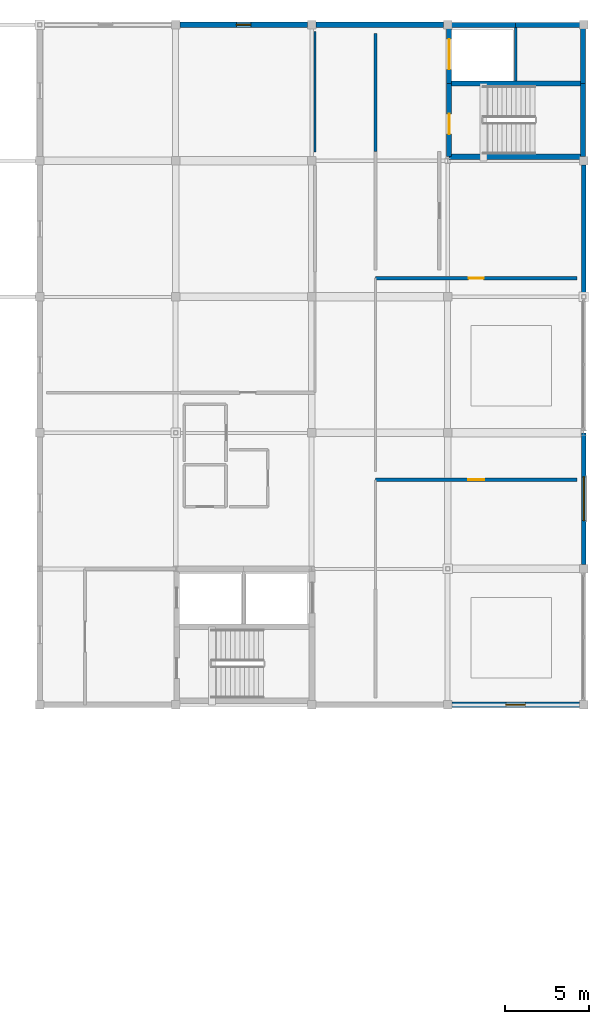
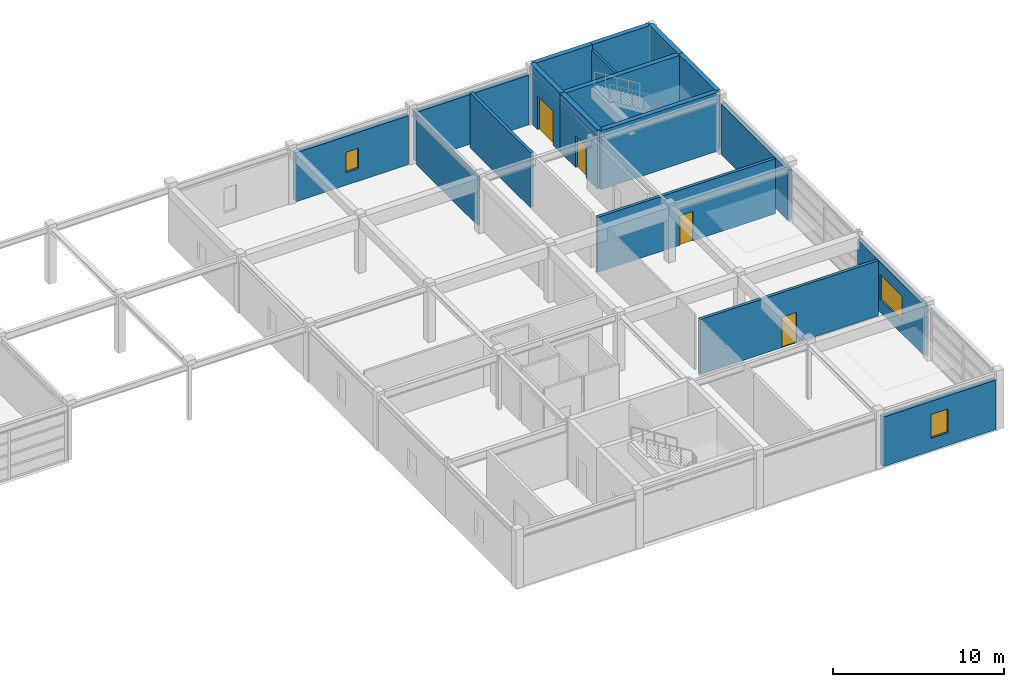
# One storey, part 20 of 26: 18 walls, 4 doors, 3 windows, 7 openings.
"""IFC4 building model written with IfcOpenShell, lengths in metres."""

from ifc_helpers import new_model, si_unit, direction, frame, frame_2d, origin, place, context, subcontext, project, spatial, rectangle, extrude, material, layer, layer_set, type_object, element, fill, save


model = new_model("IFC4")

# Units and contexts
model_context = context("Model", 3, precision=1e-05, world=origin(), true_north=direction((0.0, 1.0)))
body_context = subcontext(model_context, "Body", "Model", "MODEL_VIEW")
ifc_project = project(units=[si_unit("LENGTHUNIT", "METRE"), si_unit("AREAUNIT", "SQUARE_METRE"), si_unit("VOLUMEUNIT", "CUBIC_METRE"), si_unit("PLANEANGLEUNIT", "RADIAN"), si_unit("MASSUNIT", "GRAM", prefix="KILO")], contexts=[model_context])

# Site, building, storey
site_placement = place(None, origin())
site = spatial("IfcSite", under=ifc_project, at=site_placement, CompositionType="ELEMENT")
building_placement = place(site_placement, origin())
building = spatial("IfcBuilding", under=site, at=building_placement, Name="Parian Resonance Hall", CompositionType="ELEMENT")
storey_placement = place(building_placement, frame((0.0, 0.0, 19.199951171875)))
storey = spatial("IfcBuildingStorey", under=building, at=storey_placement, Name="L04", CompositionType="ELEMENT", Elevation=19.199951171875)

# Wall, opening, door
ifc_material_1 = material(Name="Concrete C40/50", Category="concrete")
ifc_layer_1 = layer(ifc_material_1, 0.31005859375)
ifc_layer_set_1 = layer_set([ifc_layer_1], Name="Concrete C40/50")
wall_type_1 = type_object("IfcWallType", Name="CW310", PredefinedType="SHEAR", material=ifc_layer_set_1)
wall_1_placement = place(storey_placement, frame((137.7900390625, 81.25, 0.0), z_axis=(0.0, 0.0, 1.0), x_axis=(0.0, 1.0, 0.0)))
wall_1 = element("IfcWall", 1, at=wall_1_placement, inside=storey, type_object=wall_type_1, Name="Core K6 stairwell west shear wall L04", PredefinedType="SHEAR", context=body_context, shape_type="SweptSolid", body=[
    extrude(rectangle(XDim=4.360107421875, YDim=0.31005859375, at=frame_2d((2.18017578125, 0.0))), origin(), (0.0, 0.0, 1.0), 4.199951171875),
])
opening_1_placement = place(wall_1_placement, frame((1.35009765625, 0.0, 0.0)))
opening_1 = element("IfcOpeningElement", 2, at=opening_1_placement, cuts=wall_1, Name="Opening FD-01", PredefinedType="OPENING", context=body_context, shape_type="SweptSolid", body=[
    extrude(rectangle(XDim=1.199951171875, YDim=2.25, at=frame_2d((0.60009765625, 1.125))), frame((0.0, 0.1650390625, 0.0), z_axis=(0.0, -1.0, 0.0), x_axis=(1.0, 0.0, 0.0)), (0.0, 0.0, 1.0), 0.330078125),
])
ifc_material_2 = material(Name="Fire-rated acoustic steel and narra timber door", Category="steel")
door_type_1 = type_object("IfcDoorType", Name="FD-01", OperationType="NOTDEFINED", PredefinedType="DOOR", material=ifc_material_2)
door_1_placement = place(opening_1_placement, origin())
door_1 = element("IfcDoor", 3, at=door_1_placement, inside=storey, type_object=door_type_1, Name="Exit stair ST-06 fire door L04", OperationType="SINGLE_SWING_RIGHT", OverallHeight=2.25, OverallWidth=1.199951171875, PredefinedType="DOOR", context=body_context, shape_type="SweptSolid", body=[
    extrude(rectangle(XDim=1.199951171875, YDim=2.25, at=frame_2d((0.60009765625, 1.125))), frame((0.0, 0.02490234375, 0.0), z_axis=(0.0, -1.0, 0.0), x_axis=(1.0, 0.0, 0.0)), (0.0, 0.0, 1.0), 0.050048828125),
])
fill(opening_1, door_1)

wall_2_placement = place(storey_placement, frame((137.7900390625, 85.610107421875, 0.0), z_axis=(0.0, 0.0, 1.0), x_axis=(0.0, 1.0, 0.0)))
wall_2 = element("IfcWall", 4, at=wall_2_placement, inside=storey, type_object=wall_type_1, Name="Core K6 lift shaft west shear wall L04", PredefinedType="SHEAR", context=body_context, shape_type="SweptSolid", body=[
    extrude(rectangle(XDim=3.489990234375, YDim=0.31005859375, at=frame_2d((1.7451171875, 0.0))), origin(), (0.0, 0.0, 1.0), 4.199951171875),
])
opening_2_placement = place(wall_2_placement, frame((0.844970703125, 0.0, 0.0)))
opening_2 = element("IfcOpeningElement", 5, at=opening_2_placement, cuts=wall_2, Name="Opening LD-02", PredefinedType="OPENING", context=body_context, shape_type="SweptSolid", body=[
    extrude(rectangle(XDim=1.800048828125, YDim=2.39990234375, at=frame_2d((0.89990234375, 1.199951171875))), frame((0.0, 0.1650390625, 0.0), z_axis=(0.0, -1.0, 0.0), x_axis=(1.0, 0.0, 0.0)), (0.0, 0.0, 1.0), 0.330078125),
])
ifc_material_3 = material(Name="Stainless steel and bronze elevator cab", Category="steel")
door_type_2 = type_object("IfcDoorType", Name="DOOR-LIFT-1800x2400", OperationType="SLIDING_TO_LEFT", PredefinedType="DOOR", material=ifc_material_3)
door_2_placement = place(opening_2_placement, origin())
door_2 = element("IfcDoor", 6, at=door_2_placement, inside=storey, type_object=door_type_2, Name="Lift LF-08 sliding landing door L04", OperationType="SLIDING_TO_LEFT", OverallHeight=2.39990234375, OverallWidth=1.800048828125, PredefinedType="DOOR", context=body_context, shape_type="SweptSolid", body=[
    extrude(rectangle(XDim=1.800048828125, YDim=2.39990234375, at=frame_2d((0.89990234375, 1.199951171875))), frame((0.0, 0.02490234375, 0.0), z_axis=(0.0, -1.0, 0.0), x_axis=(1.0, 0.0, 0.0)), (0.0, 0.0, 1.0), 0.050048828125),
])
fill(opening_2, door_2)

# Walls
wall_3_placement = place(storey_placement, frame((137.7900390625, 89.10009765625, 0.0), z_axis=(0.0, 0.0, 1.0), x_axis=(1.0, 0.0, 0.0)))
element("IfcWall", 7, at=wall_3_placement, inside=storey, type_object=wall_type_1, Name="Core K6 north-west shaft wall L04", PredefinedType="SHEAR", context=body_context, shape_type="SweptSolid", body=[
    extrude(rectangle(XDim=3.9599609375, YDim=0.31005859375, at=frame_2d((1.97998046875, 0.0))), origin(), (0.0, 0.0, 1.0), 4.199951171875),
])
wall_4_placement = place(storey_placement, frame((141.75, 89.10009765625, 0.0), z_axis=(0.0, 0.0, 1.0), x_axis=(1.0, 0.0, 0.0)))
element("IfcWall", 8, at=wall_4_placement, inside=storey, type_object=wall_type_1, Name="Core K6 north-east shaft wall L04", PredefinedType="SHEAR", context=body_context, shape_type="SweptSolid", body=[
    extrude(rectangle(XDim=4.02001953125, YDim=0.31005859375, at=frame_2d((2.010009765625, 0.0))), origin(), (0.0, 0.0, 1.0), 4.199951171875),
])
wall_5_placement = place(storey_placement, frame((145.77001953125, 89.10009765625, 0.0), z_axis=(0.0, 0.0, 1.0), x_axis=(0.0, -1.0, 0.0)))
element("IfcWall", 9, at=wall_5_placement, inside=storey, type_object=wall_type_1, Name="Core K6 east shaft wall L04", PredefinedType="SHEAR", context=body_context, shape_type="SweptSolid", body=[
    extrude(rectangle(XDim=3.489990234375, YDim=0.31005859375, at=frame_2d((1.7451171875, 0.0))), origin(), (0.0, 0.0, 1.0), 4.199951171875),
])
wall_6_placement = place(storey_placement, frame((145.77001953125, 85.610107421875, 0.0), z_axis=(0.0, 0.0, 1.0), x_axis=(0.0, -1.0, 0.0)))
element("IfcWall", 10, at=wall_6_placement, inside=storey, type_object=wall_type_1, Name="Core K6 stairwell east wall L04", PredefinedType="SHEAR", context=body_context, shape_type="SweptSolid", body=[
    extrude(rectangle(XDim=4.360107421875, YDim=0.31005859375, at=frame_2d((2.18017578125, 0.0))), origin(), (0.0, 0.0, 1.0), 4.199951171875),
])
for number, where, z_axis, x_axis, name in (
    (11, (145.77001953125, 81.25, 0.0), (0.0, 0.0, 1.0), (-1.0, 0.0, 0.0), "Core K6 stairwell south wall L04"),
    (12, (137.7900390625, 85.610107421875, 0.0), (0.0, 0.0, 1.0), (1.0, 0.0, 0.0), "Core K6 stair-lift divider wall L04"),
):
    element("IfcWall", number, at=place(storey_placement, frame(where, z_axis=z_axis, x_axis=x_axis)), inside=storey, type_object=wall_type_1, Name=name, PredefinedType="SHEAR", context=body_context, shape_type="SweptSolid", body=[
        extrude(rectangle(XDim=7.97998046875, YDim=0.31005859375, at=frame_2d((3.989990234375, 0.0))), origin(), (0.0, 0.0, 1.0), 4.199951171875),
    ])
ifc_material_4 = material(Name="Concrete C35/45 with Carcar coral-limestone ashlar", Category="masonry")
ifc_layer_2 = layer(ifc_material_4, 0.340087890625)
ifc_layer_set_2 = layer_set([ifc_layer_2], Name="Concrete C35/45 with Carcar coral-limestone ashlar")
wall_type_2 = type_object("IfcWallType", Name="EW-STONE-340", PredefinedType="SOLIDWALL", material=ifc_layer_set_2)
wall_7_placement = place(storey_placement, frame((137.449951171875, 89.10009765625, 0.0), z_axis=(0.0, 0.0, 1.0), x_axis=(-1.0, 0.0, 0.0)))
element("IfcWall", 13, at=wall_7_placement, inside=storey, type_object=wall_type_2, Name="Perimeter closure wall L04", PredefinedType="SOLIDWALL", context=body_context, shape_type="SweptSolid", body=[
    extrude(rectangle(XDim=7.599853515625, YDim=0.340087890625, at=frame_2d((3.7998046875, 0.0))), origin(), (0.0, 0.0, 1.0), 3.537109375),
])

# Wall, opening, window
wall_8_placement = place(storey_placement, frame((129.35009765625, 89.10009765625, 0.0), z_axis=(0.0, 0.0, 1.0), x_axis=(-1.0, 0.0, 0.0)))
wall_8 = element("IfcWall", 14, at=wall_8_placement, inside=storey, type_object=wall_type_2, Name="Perimeter closure wall L04", PredefinedType="SOLIDWALL", context=body_context, shape_type="SweptSolid", body=[
    extrude(rectangle(XDim=7.60009765625, YDim=0.340087890625, at=frame_2d((3.800048828125, 0.0))), origin(), (0.0, 0.0, 1.0), 3.485107421875),
])
opening_3_placement = place(wall_8_placement, frame((3.375, 0.0, 0.89990234375)))
opening_3 = element("IfcOpeningElement", 15, at=opening_3_placement, cuts=wall_8, Name="Opening WN-02", PredefinedType="OPENING", context=body_context, shape_type="SweptSolid", body=[
    extrude(rectangle(XDim=0.85009765625, YDim=1.449951171875, at=frame_2d((0.425048828125, 0.72509765625))), frame((0.0, 0.179931640625, 0.0), z_axis=(0.0, -1.0, 0.0), x_axis=(1.0, 0.0, 0.0)), (0.0, 0.0, 1.0), 0.360107421875),
])
ifc_material_5 = material(Name="Acoustic laminated double glazing", Category="glass")
window_type_1 = type_object("IfcWindowType", Name="WIN-850x1450", PartitioningType="SINGLE_PANEL", PredefinedType="WINDOW", material=ifc_material_5)
window_1_placement = place(opening_3_placement, origin())
window_1 = element("IfcWindow", 16, at=window_1_placement, inside=storey, type_object=window_type_1, Name="Acoustic window L04-0115", OverallHeight=1.449951171875, OverallWidth=0.85009765625, PartitioningType="SINGLE_PANEL", PredefinedType="WINDOW", context=body_context, shape_type="SweptSolid", body=[
    extrude(rectangle(XDim=0.85009765625, YDim=1.449951171875, at=frame_2d((0.425048828125, 0.72509765625))), frame((0.0, 0.030029296875, 0.0), z_axis=(0.0, -1.0, 0.0), x_axis=(1.0, 0.0, 0.0)), (0.0, 0.0, 1.0), 0.06005859375),
])
fill(opening_3, window_1)

wall_9_placement = place(storey_placement, frame((137.949951171875, 48.60009765625, 0.0), z_axis=(0.0, 0.0, 1.0), x_axis=(1.0, 0.0, 0.0)))
wall_9 = element("IfcWall", 17, at=wall_9_placement, inside=storey, type_object=wall_type_2, Name="Perimeter closure wall L04", PredefinedType="SOLIDWALL", context=body_context, shape_type="SweptSolid", body=[
    extrude(rectangle(XDim=7.60009765625, YDim=0.340087890625, at=frame_2d((3.800048828125, 0.0))), origin(), (0.0, 0.0, 1.0), 3.537109375),
])
opening_4_placement = place(wall_9_placement, frame((3.22509765625, 0.0, 0.89990234375)))
opening_4 = element("IfcOpeningElement", 18, at=opening_4_placement, cuts=wall_9, Name="Opening WN-11", PredefinedType="OPENING", context=body_context, shape_type="SweptSolid", body=[
    extrude(rectangle(XDim=1.14990234375, YDim=1.699951171875, at=frame_2d((0.574951171875, 0.85009765625))), frame((0.0, 0.179931640625, 0.0), z_axis=(0.0, -1.0, 0.0), x_axis=(1.0, 0.0, 0.0)), (0.0, 0.0, 1.0), 0.360107421875),
])
ifc_material_6 = material(Name="Acoustic laminated double glazing", Category="glass")
window_type_2 = type_object("IfcWindowType", Name="WIN-1150x1700", PartitioningType="SINGLE_PANEL", PredefinedType="WINDOW", material=ifc_material_6)
window_2_placement = place(opening_4_placement, origin())
window_2 = element("IfcWindow", 19, at=window_2_placement, inside=storey, type_object=window_type_2, Name="Acoustic window L04-0122", OverallHeight=1.699951171875, OverallWidth=1.14990234375, PartitioningType="SINGLE_PANEL", PredefinedType="WINDOW", context=body_context, shape_type="SweptSolid", body=[
    extrude(rectangle(XDim=1.14990234375, YDim=1.699951171875, at=frame_2d((0.574951171875, 0.85009765625))), frame((0.0, 0.030029296875, 0.0), z_axis=(0.0, -1.0, 0.0), x_axis=(1.0, 0.0, 0.0)), (0.0, 0.0, 1.0), 0.06005859375),
])
fill(opening_4, window_2)

ifc_material_7 = material(Name="Concrete C35/45 with Carcar coral-limestone ashlar", Category="masonry")
ifc_layer_3 = layer(ifc_material_7, 0.27001953125)
ifc_layer_set_3 = layer_set([ifc_layer_3], Name="Concrete C35/45 with Carcar coral-limestone ashlar")
wall_type_3 = type_object("IfcWallType", Name="EW-STUDIO-270", PredefinedType="SOLIDWALL", material=ifc_layer_set_3)
wall_10_placement = place(storey_placement, frame((145.800048828125, 64.800048828125, 0.0), z_axis=(0.0, 0.0, 1.0), x_axis=(0.0, -1.0, 0.0)))
wall_10 = element("IfcWall", 20, at=wall_10_placement, inside=storey, type_object=wall_type_3, Name="Exterior wall EW-L04-0182", PredefinedType="SOLIDWALL", context=body_context, shape_type="SweptSolid", body=[
    extrude(rectangle(XDim=7.85009765625, YDim=0.27001953125, at=frame_2d((3.925048828125, 0.0))), origin(), (0.0, 0.0, 1.0), 3.59716796875),
])
opening_5_placement = place(wall_10_placement, frame((2.625, 0.0, 0.89990234375)))
opening_5 = element("IfcOpeningElement", 21, at=opening_5_placement, cuts=wall_10, Name="Opening WN-44", PredefinedType="OPENING", context=body_context, shape_type="SweptSolid", body=[
    extrude(rectangle(XDim=2.60009765625, YDim=1.800048828125, at=frame_2d((1.300048828125, 0.89990234375))), frame((0.0, 0.14501953125, 0.0), z_axis=(0.0, -1.0, 0.0), x_axis=(1.0, 0.0, 0.0)), (0.0, 0.0, 1.0), 0.2900390625),
])
ifc_material_8 = material(Name="Acoustic laminated double glazing", Category="glass")
window_type_3 = type_object("IfcWindowType", Name="WIN-2600x1800", PartitioningType="SINGLE_PANEL", PredefinedType="WINDOW", material=ifc_material_8)
window_3_placement = place(opening_5_placement, origin())
window_3 = element("IfcWindow", 22, at=window_3_placement, inside=storey, type_object=window_type_3, Name="Acoustic window L04-0038", OverallHeight=1.800048828125, OverallWidth=2.60009765625, PartitioningType="SINGLE_PANEL", PredefinedType="WINDOW", context=body_context, shape_type="SweptSolid", body=[
    extrude(rectangle(XDim=2.60009765625, YDim=1.800048828125, at=frame_2d((1.300048828125, 0.89990234375))), frame((0.0, 0.030029296875, 0.0), z_axis=(0.0, -1.0, 0.0), x_axis=(1.0, 0.0, 0.0)), (0.0, 0.0, 1.0), 0.06005859375),
])
fill(opening_5, window_3)

# Wall
wall_11_placement = place(storey_placement, frame((145.800048828125, 80.75, 0.0), z_axis=(0.0, 0.0, 1.0), x_axis=(0.0, -1.0, 0.0)))
element("IfcWall", 23, at=wall_11_placement, inside=storey, type_object=wall_type_3, Name="Exterior wall EW-L04-0183", PredefinedType="SOLIDWALL", context=body_context, shape_type="SweptSolid", body=[
    extrude(rectangle(XDim=7.85009765625, YDim=0.27001953125, at=frame_2d((3.925048828125, 0.0))), origin(), (0.0, 0.0, 1.0), 3.59716796875),
])

# Wall, opening, door
ifc_material_9 = material(Name="Concrete C35/45 fire barrier", Category="concrete")
ifc_layer_4 = layer(ifc_material_9, 0.199951171875)
ifc_layer_set_4 = layer_set([ifc_layer_4], Name="Concrete C35/45 fire barrier")
wall_type_4 = type_object("IfcWallType", Name="FW200", PredefinedType="PARTITIONING", material=ifc_layer_set_4)
wall_12_placement = place(storey_placement, frame((133.39990234375, 62.0, 0.0), z_axis=(0.0, 0.0, 1.0), x_axis=(1.0, 0.0, 0.0)))
wall_12 = element("IfcWall", 24, at=wall_12_placement, inside=storey, type_object=wall_type_4, Name="Interior acoustic partition IW-L04-0274", PredefinedType="PARTITIONING", context=body_context, shape_type="SweptSolid", body=[
    extrude(rectangle(XDim=12.0, YDim=0.199951171875, at=frame_2d((6.0, 0.0))), origin(), (0.0, 0.0, 1.0), 3.920166015625),
])
opening_6_placement = place(wall_12_placement, frame((5.52001953125, 0.0, 0.0)))
opening_6 = element("IfcOpeningElement", 25, at=opening_6_placement, cuts=wall_12, Name="Opening ID-21", PredefinedType="OPENING", context=body_context, shape_type="SweptSolid", body=[
    extrude(rectangle(XDim=0.9599609375, YDim=2.159912109375, at=frame_2d((0.47998046875, 1.080078125))), frame((0.0, 0.10986328125, 0.0), z_axis=(0.0, -1.0, 0.0), x_axis=(1.0, 0.0, 0.0)), (0.0, 0.0, 1.0), 0.219970703125),
])
ifc_material_10 = material(Name="Philippine narra acoustic timber door", Category="wood")
door_type_3 = type_object("IfcDoorType", Name="ID-AWC-0960x2160", OperationType="NOTDEFINED", PredefinedType="DOOR", material=ifc_material_10)
door_3_placement = place(opening_6_placement, origin())
door_3 = element("IfcDoor", 26, at=door_3_placement, inside=storey, type_object=door_type_3, Name="Instrument Conservation Workshop door", OperationType="SINGLE_SWING_RIGHT", OverallHeight=2.159912109375, OverallWidth=0.9599609375, PredefinedType="DOOR", context=body_context, shape_type="SweptSolid", body=[
    extrude(rectangle(XDim=0.9599609375, YDim=2.159912109375, at=frame_2d((0.47998046875, 1.080078125))), frame((0.0, 0.02490234375, 0.0), z_axis=(0.0, -1.0, 0.0), x_axis=(1.0, 0.0, 0.0)), (0.0, 0.0, 1.0), 0.050048828125),
])
fill(opening_6, door_3)

wall_13_placement = place(storey_placement, frame((133.39990234375, 74.0, 0.0), z_axis=(0.0, 0.0, 1.0), x_axis=(1.0, 0.0, 0.0)))
wall_13 = element("IfcWall", 27, at=wall_13_placement, inside=storey, type_object=wall_type_4, Name="Interior acoustic partition IW-L04-0276", PredefinedType="PARTITIONING", context=body_context, shape_type="SweptSolid", body=[
    extrude(rectangle(XDim=12.0, YDim=0.199951171875, at=frame_2d((6.0, 0.0))), origin(), (0.0, 0.0, 1.0), 3.920166015625),
])
opening_7_placement = place(wall_13_placement, frame((5.550048828125, 0.0, 0.0)))
opening_7 = element("IfcOpeningElement", 28, at=opening_7_placement, cuts=wall_13, Name="Opening ID-22", PredefinedType="OPENING", context=body_context, shape_type="SweptSolid", body=[
    extrude(rectangle(XDim=0.89990234375, YDim=2.10009765625, at=frame_2d((0.449951171875, 1.050048828125))), frame((0.0, 0.10986328125, 0.0), z_axis=(0.0, -1.0, 0.0), x_axis=(1.0, 0.0, 0.0)), (0.0, 0.0, 1.0), 0.219970703125),
])
ifc_material_11 = material(Name="Philippine narra acoustic timber door", Category="wood")
door_type_4 = type_object("IfcDoorType", Name="ID-WC-0900x2100", OperationType="NOTDEFINED", PredefinedType="DOOR", material=ifc_material_11)
door_4_placement = place(opening_7_placement, origin())
door_4 = element("IfcDoor", 29, at=door_4_placement, inside=storey, type_object=door_type_4, Name="Artistic Administration Suite door", OperationType="SINGLE_SWING_LEFT", OverallHeight=2.10009765625, OverallWidth=0.89990234375, PredefinedType="DOOR", context=body_context, shape_type="SweptSolid", body=[
    extrude(rectangle(XDim=0.89990234375, YDim=2.10009765625, at=frame_2d((0.449951171875, 1.050048828125))), frame((0.0, 0.02490234375, 0.0), z_axis=(0.0, -1.0, 0.0), x_axis=(1.0, 0.0, 0.0)), (0.0, 0.0, 1.0), 0.050048828125),
])
fill(opening_7, door_4)

# Walls
wall_14_placement = place(storey_placement, frame((133.39990234375, 81.550048828125, 0.0), z_axis=(0.0, 0.0, 1.0), x_axis=(0.0, 1.0, 0.0)))
element("IfcWall", 30, at=wall_14_placement, inside=storey, type_object=wall_type_4, Name="Interior acoustic partition IW-L04-0279", PredefinedType="PARTITIONING", context=body_context, shape_type="SweptSolid", body=[
    extrude(rectangle(XDim=7.050048828125, YDim=0.199951171875, at=frame_2d((3.52490234375, 0.0))), origin(), (0.0, 0.0, 1.0), 3.920166015625),
])
ifc_material_12 = material(Name="Concrete C35/45 acoustic masonry partition", Category="masonry")
ifc_layer_5 = layer(ifc_material_12, 0.139892578125)
ifc_layer_set_5 = layer_set([ifc_layer_5], Name="Concrete C35/45 acoustic masonry partition")
wall_type_5 = type_object("IfcWallType", Name="PW140", PredefinedType="PARTITIONING", material=ifc_layer_set_5)
wall_15_placement = place(storey_placement, frame((129.800048828125, 88.699951171875, 0.0), z_axis=(0.0, 0.0, 1.0), x_axis=(0.0, -1.0, 0.0)))
element("IfcWall", 31, at=wall_15_placement, inside=storey, type_object=wall_type_5, Name="Interior acoustic partition IW-L04-0267", PredefinedType="PARTITIONING", context=body_context, shape_type="SweptSolid", body=[
    extrude(rectangle(XDim=7.166748046875, YDim=0.139892578125, at=frame_2d((3.58349609375, 0.0))), origin(), (0.0, 0.0, 1.0), 3.485107421875),
])
ifc_material_13 = material(Name="Concrete C35/45 acoustic plumbing chase wall", Category="concrete")
ifc_layer_6 = layer(ifc_material_13, 0.14990234375)
ifc_layer_set_6 = layer_set([ifc_layer_6], Name="Concrete C35/45 acoustic plumbing chase wall")
wall_type_6 = type_object("IfcWallType", Name="PW150", PredefinedType="PLUMBINGWALL", material=ifc_layer_set_6)
wall_16_placement = place(storey_placement, frame((141.75, 85.77001953125, 0.0), z_axis=(0.0, 0.0, 1.0), x_axis=(0.0, 1.0, 0.0)))
element("IfcWall", 32, at=wall_16_placement, inside=storey, type_object=wall_type_6, Name="Core K6 shaft plumbing/riser divider L04", PredefinedType="PLUMBINGWALL", context=body_context, shape_type="SweptSolid", body=[
    extrude(rectangle(XDim=3.169921875, YDim=0.14990234375, at=frame_2d((1.5849609375, 0.0))), origin(), (0.0, 0.0, 1.0), 3.85009765625),
])

save(model, "model.ifc")
